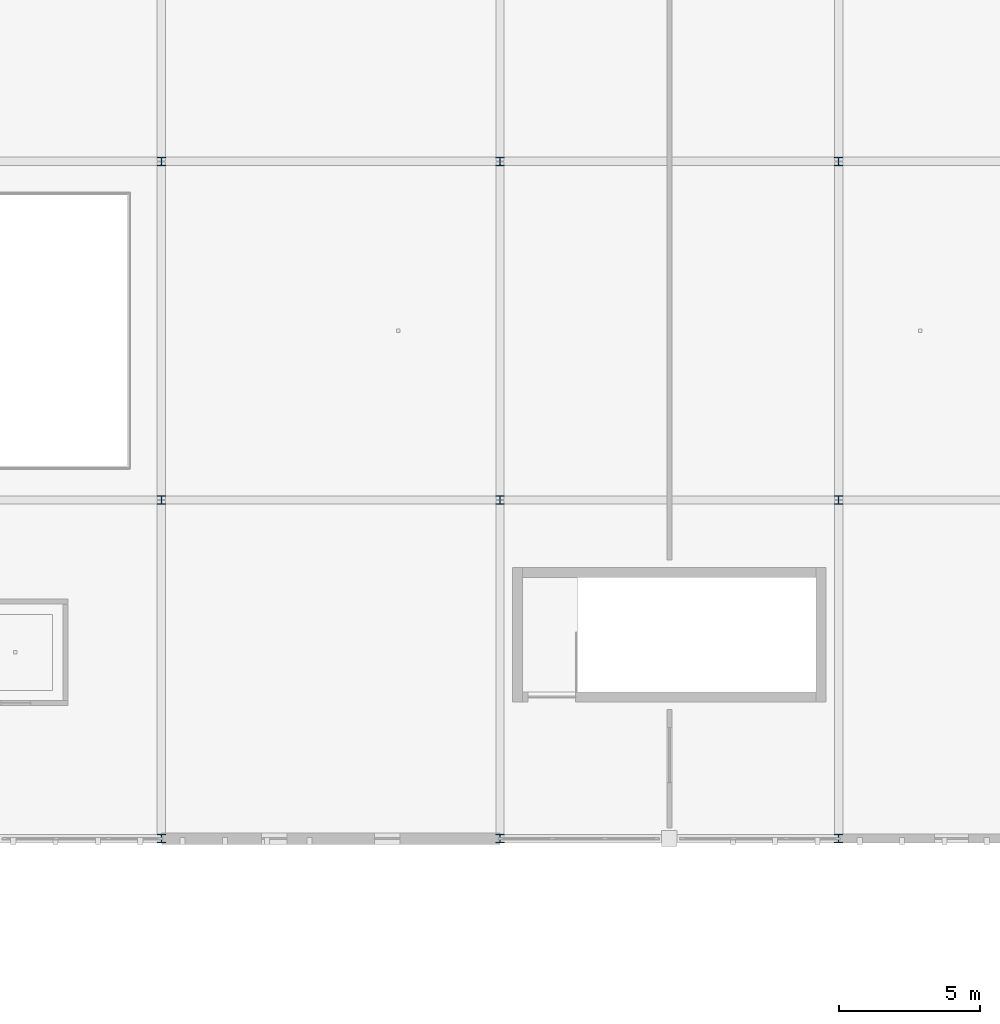
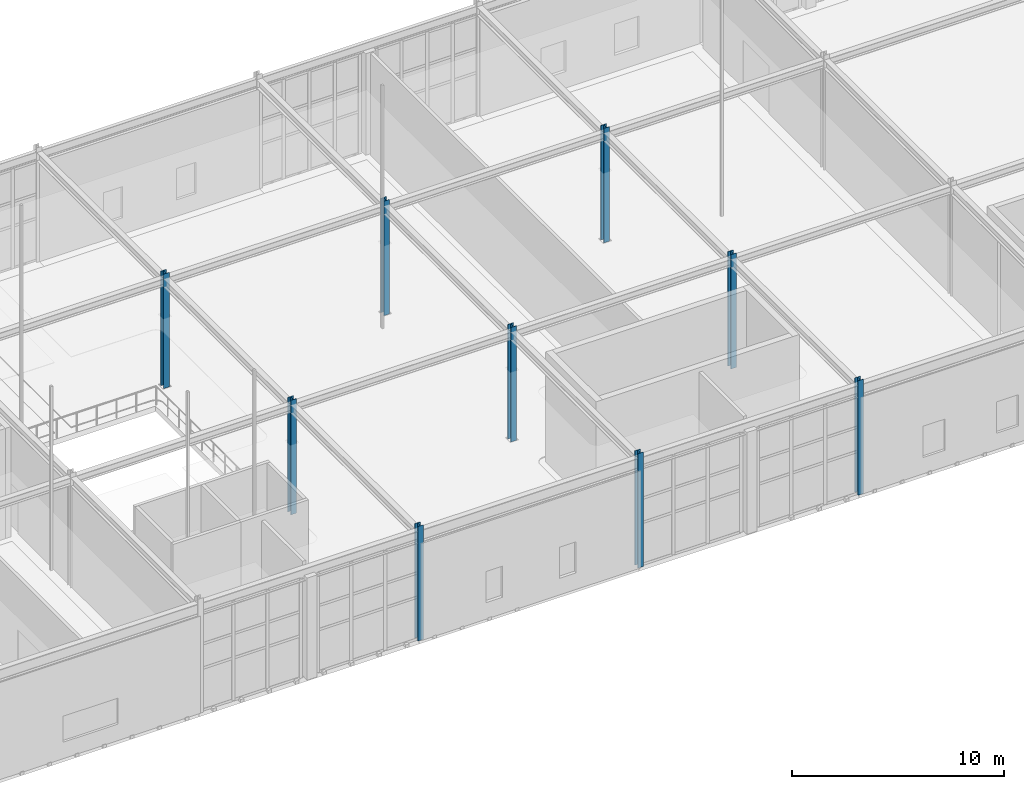
# One storey, part 3 of 62: 9 columns.
"""IFC4 building model written with IfcOpenShell, lengths in metres."""

from ifc_helpers import new_model, si_unit, direction, frame, origin, origin_2d, place, context, subcontext, project, spatial, i_section, extrude, material, material_profile, profile_set, type_object, element, save


model = new_model("IFC4")

# Units and contexts
model_context = context("Model", 3, precision=1e-05, world=origin(), true_north=direction((0.0, 1.0)))
body_context = subcontext(model_context, "Body", "Model", "MODEL_VIEW")
ifc_project = project(units=[si_unit("LENGTHUNIT", "METRE"), si_unit("AREAUNIT", "SQUARE_METRE"), si_unit("VOLUMEUNIT", "CUBIC_METRE"), si_unit("PLANEANGLEUNIT", "RADIAN"), si_unit("MASSUNIT", "GRAM", prefix="KILO")], contexts=[model_context])

# Site, building, storey
site_placement = place(None, origin())
site = spatial("IfcSite", under=ifc_project, at=site_placement, CompositionType="ELEMENT")
building_placement = place(site_placement, origin())
building = spatial("IfcBuilding", under=site, at=building_placement, Name="Zlatogorsky Bluff Art Gallery", CompositionType="ELEMENT")
storey_placement = place(building_placement, frame((0.0, 0.0, 16.800048828125)))
storey = spatial("IfcBuildingStorey", under=building, at=storey_placement, Name="L03", CompositionType="ELEMENT", Elevation=16.800048828125)

# Columns
ifc_material = material(Name="Steel S355", Category="steel")
ifc_material_profile = material_profile(ifc_material, i_section(OverallWidth=0.300048828125, OverallDepth=0.300048828125, WebThickness=0.010986328125, FlangeThickness=0.01904296875, FilletRadius=0.027099609375, at=origin_2d()), Name="HEB 300")
ifc_profile_set = profile_set([ifc_material_profile], Name="Steel S355")
column_type = type_object("IfcColumnType", Name="Column CL-06 HEB 300", PredefinedType="COLUMN", material=ifc_profile_set)
for number, where, z_axis, x_axis, name in (
    (1, (60.0, 84.0, 0.0), (0.0, 0.0, 1.0), (1.0, 0.0, 0.0), "Column CL-06 L03 F9"),
    (2, (60.0, 96.0, 0.0), (0.0, 0.0, 1.0), (1.0, 0.0, 0.0), "Column CL-06 L03 F10"),
    (3, (60.0, 108.0, 0.0), (0.0, 0.0, 1.0), (1.0, 0.0, 0.0), "Column CL-06 L03 F11"),
    (4, (72.0, 84.0, 0.0), (0.0, 0.0, 1.0), (1.0, 0.0, 0.0), "Column CL-06 L03 G9"),
    (5, (72.0, 96.0, 0.0), (0.0, 0.0, 1.0), (1.0, 0.0, 0.0), "Column CL-06 L03 G10"),
    (6, (72.0, 108.0, 0.0), (0.0, 0.0, 1.0), (1.0, 0.0, 0.0), "Column CL-06 L03 G11"),
    (7, (84.0, 84.0, 0.0), (0.0, 0.0, 1.0), (1.0, 0.0, 0.0), "Column CL-06 L03 H9"),
    (8, (84.0, 96.0, 0.0), (0.0, 0.0, 1.0), (1.0, 0.0, 0.0), "Column CL-06 L03 H10"),
    (9, (84.0, 108.0, 0.0), (0.0, 0.0, 1.0), (1.0, 0.0, 0.0), "Column CL-06 L03 H11"),
):
    element("IfcColumn", number, at=place(storey_placement, frame(where, z_axis=z_axis, x_axis=x_axis)), inside=storey, type_object=column_type, Name=name, PredefinedType="COLUMN", context=body_context, shape_type="SweptSolid", body=[
        extrude(i_section(OverallWidth=0.300048828125, OverallDepth=0.300048828125, WebThickness=0.010986328125, FlangeThickness=0.01904296875, FilletRadius=0.027099609375, at=origin_2d()), origin(), (0.0, 0.0, 1.0), 6.599853515625),
    ])

save(model, "model.ifc")
